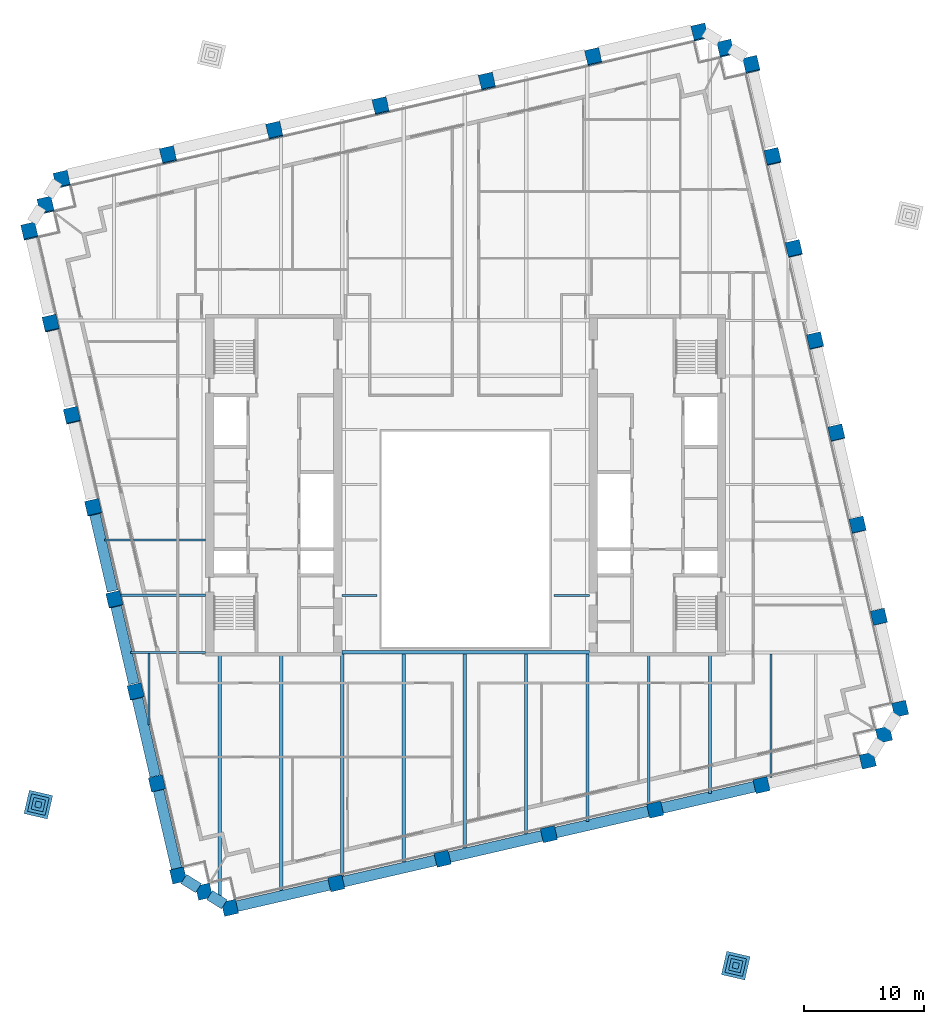
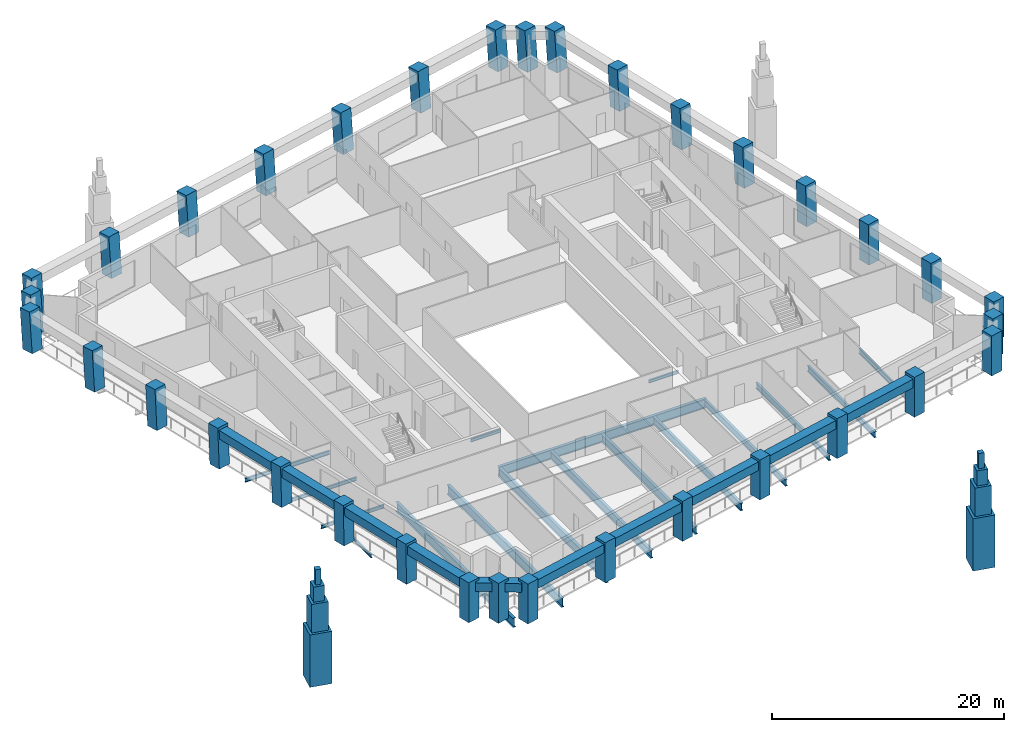
# One storey, part 1 of 10: 34 columns, 28 beams, 8 members.
"""IFC4 building model written with IfcOpenShell, lengths in metres."""

from ifc_helpers import new_model, si_unit, direction, frame, origin, origin_2d, place, context, subcontext, project, spatial, rectangle, i_section, extrude, material, material_profile, profile_set, type_object, element, save


model = new_model("IFC4")

# Units and contexts
model_context = context("Model", 3, precision=1e-05, world=origin(), true_north=direction((0.0, 1.0)))
body_context = subcontext(model_context, "Body", "Model", "MODEL_VIEW")
ifc_project = project(units=[si_unit("LENGTHUNIT", "METRE"), si_unit("AREAUNIT", "SQUARE_METRE"), si_unit("VOLUMEUNIT", "CUBIC_METRE"), si_unit("PLANEANGLEUNIT", "RADIAN"), si_unit("MASSUNIT", "GRAM", prefix="KILO")], contexts=[model_context])

# Site, building, storey
site_placement = place(None, origin())
site = spatial("IfcSite", under=ifc_project, at=site_placement, CompositionType="ELEMENT")
building_placement = place(site_placement, origin())
building = spatial("IfcBuilding", under=site, at=building_placement, Name="Ogive Exchange Tower", CompositionType="ELEMENT")
storey_placement = place(building_placement, frame((0.0, 0.0, 171.60009765625)))
storey = spatial("IfcBuildingStorey", under=building, at=storey_placement, Name="L37", CompositionType="ELEMENT", Elevation=171.60009765625)

# Columns
ifc_material_1 = material(Name="Precast concrete C70/85 (limestone faced)", Category="masonry")
ifc_material_profile_1 = material_profile(ifc_material_1, rectangle(XDim=1.199951171875, YDim=1.199951171875, at=origin_2d()), Name="1200 x 1200")
ifc_profile_set_1 = profile_set([ifc_material_profile_1], Name="Precast concrete C70/85 (limestone faced)")
column_type = type_object("IfcColumnType", Name="Precast exoskeleton leg 1200 x 1200 C70/85", PredefinedType="COLUMN", material=ifc_profile_set_1)
for number, where, z_axis, x_axis, name in (
    (1, (-19.6494140625, -23.749267578125, 0.0), (0.0, 0.0, 1.0), (0.974370064785, 0.224951054344, 0.0), "Exoskeleton leg 1"),
    (2, (-10.782470703125, -21.7021484375, 0.0), (0.0, 0.0, 1.0), (0.974370064785, 0.224951054344, 0.0), "Exoskeleton leg 2"),
    (3, (-1.915771484375, -19.655029296875, 0.0), (0.0, 0.0, 1.0), (0.974370064785, 0.224951054344, 0.0), "Exoskeleton leg 3"),
    (4, (6.950927734375, -17.60791015625, 0.0), (0.0, 0.0, 1.0), (0.974370064785, 0.224951054344, 0.0), "Exoskeleton leg 4"),
    (5, (15.81787109375, -15.56103515625, 0.0), (0.0, 0.0, 1.0), (0.974370064785, 0.224951054344, 0.0), "Exoskeleton leg 5"),
    (6, (24.6845703125, -13.513916015625, 0.0), (0.0, 0.0, 1.0), (0.974370064785, 0.224951054344, 0.0), "Exoskeleton leg 6"),
    (7, (33.55126953125, -11.466796875, 0.0), (0.0, 0.0, 1.0), (0.974370064785, 0.224951054344, 0.0), "Exoskeleton leg 7"),
    (8, (36.249267578125, -7.1494140625, 0.0), (0.0, 0.0, 1.0), (0.974370064785, 0.224951054344, 0.0), "Exoskeleton leg 8"),
):
    element("IfcColumn", number, at=place(storey_placement, frame(where, z_axis=z_axis, x_axis=x_axis)), inside=storey, type_object=column_type, Name=name, PredefinedType="COLUMN", context=body_context, shape_type="SweptSolid", body=[
        extrude(rectangle(XDim=1.199951171875, YDim=1.199951171875, at=origin_2d()), origin(), (0.0, 0.0, 1.0), 4.199951171875),
    ])
column_1_placement = place(storey_placement, frame((34.478515625, 0.52099609375, 0.0), z_axis=(-0.002731884952, 0.01168316756, 0.999928017609), x_axis=(-0.973733900744, -0.227689021567, 0.0)))
element("IfcColumn", 9, at=column_1_placement, inside=storey, type_object=column_type, Name="Exoskeleton leg 9", PredefinedType="COLUMN", context=body_context, shape_type="SweptSolid", body=[
    extrude(rectangle(XDim=1.199951171875, YDim=1.199951171875, at=origin_2d()), origin(), (0.0, 0.0, 1.0), 4.2001953125),
])
column_2_placement = place(storey_placement, frame((32.70751953125, 8.191162109375, 0.0), z_axis=(-0.005404472139, 0.023419379268, 0.999711120452), x_axis=(-0.974391195695, -0.224859506699, 0.0)))
element("IfcColumn", 10, at=column_2_placement, inside=storey, type_object=column_type, Name="Exoskeleton leg 10", PredefinedType="COLUMN", context=body_context, shape_type="SweptSolid", body=[
    extrude(rectangle(XDim=1.199951171875, YDim=1.199951171875, at=origin_2d()), origin(), (0.0, 0.0, 1.0), 4.201171875),
])
column_3_placement = place(storey_placement, frame((30.936767578125, 15.861572265625, 0.0), z_axis=(-0.008132851642, 0.035029353857, 0.999353191366), x_axis=(-0.974090845759, -0.226157078617, 0.0)))
element("IfcColumn", 11, at=column_3_placement, inside=storey, type_object=column_type, Name="Exoskeleton leg 11", PredefinedType="COLUMN", context=body_context, shape_type="SweptSolid", body=[
    extrude(rectangle(XDim=1.199951171875, YDim=1.199951171875, at=origin_2d()), origin(), (0.0, 0.0, 1.0), 4.20263671875),
])
column_4_placement = place(storey_placement, frame((29.166015625, 23.53173828125, 0.0), z_axis=(-0.010799619665, 0.046740289408, 0.998848694028), x_axis=(-0.974329962248, -0.225124686929, 0.0)))
element("IfcColumn", 12, at=column_4_placement, inside=storey, type_object=column_type, Name="Exoskeleton leg 12", PredefinedType="COLUMN", context=body_context, shape_type="SweptSolid", body=[
    extrude(rectangle(XDim=1.199951171875, YDim=1.199951171875, at=origin_2d()), origin(), (0.0, 0.0, 1.0), 4.204833984375),
])
column_5_placement = place(storey_placement, frame((27.39501953125, 31.201904296875, 0.0), z_axis=(-0.013461754246, 0.058430976405, 0.998200682312), x_axis=(-0.974472679268, -0.224506118759, 0.0)))
element("IfcColumn", 13, at=column_5_placement, inside=storey, type_object=column_type, Name="Exoskeleton leg 13", PredefinedType="COLUMN", context=body_context, shape_type="SweptSolid", body=[
    extrude(rectangle(XDim=1.199951171875, YDim=1.199951171875, at=origin_2d()), origin(), (0.0, 0.0, 1.0), 4.20751953125),
])
column_6_placement = place(storey_placement, frame((25.624267578125, 38.872314453125, 0.0), z_axis=(-0.016176212764, 0.069980963462, 0.99741716192), x_axis=(-0.974309502923, -0.225213215672, 0.0)))
element("IfcColumn", 14, at=column_6_placement, inside=storey, type_object=column_type, Name="Exoskeleton leg 14", PredefinedType="COLUMN", context=body_context, shape_type="SweptSolid", body=[
    extrude(rectangle(XDim=1.199951171875, YDim=1.199951171875, at=origin_2d()), origin(), (0.0, 0.0, 1.0), 4.2109375),
])
for number, where, z_axis, x_axis, name in (
    (15, (23.853515625, 46.54248046875, 0.0), (-0.018825666958, 0.081616506903, 0.99648599592), (-0.974414501624, -0.224758490439, 0.0), "Exoskeleton leg 15"),
    (16, (19.535888671875, 49.240478515625, 0.0), (-0.018825666958, 0.081616506903, 0.99648599592), (-0.974414501624, -0.224758490439, 0.0), "Exoskeleton leg 16"),
    (17, (10.669189453125, 47.193359375, 0.0), (-0.018883571463, 0.081616417765, 0.996484907603), (-0.974262845894, -0.225414966474, 0.0), "Exoskeleton leg 17"),
    (18, (1.802490234375, 45.146484375, 0.0), (-0.018883660707, 0.081558878144, 0.996489616983), (-0.974227676113, -0.225566919327, 0.0), "Exoskeleton leg 18"),
    (19, (-7.064453125, 43.099365234375, 0.0), (-0.018825755928, 0.08155896722, 0.996490705315), (-0.974379530941, -0.22491004798, 0.0), "Exoskeleton leg 19"),
    (20, (-15.93115234375, 41.05224609375, 0.0), (-0.018825666958, 0.081616506903, 0.99648599592), (-0.974414501624, -0.224758490439, 0.0), "Exoskeleton leg 20"),
    (21, (-24.7978515625, 39.005126953125, 0.0), (-0.018825666958, 0.081616506903, 0.99648599592), (-0.974414501624, -0.224758490439, 0.0), "Exoskeleton leg 21"),
    (22, (-33.664794921875, 36.958251953125, 0.0), (-0.018825755928, 0.08155896722, 0.996490705315), (-0.974379530941, -0.22491004798, 0.0), "Exoskeleton leg 22"),
    (23, (-36.362548828125, 32.640625, 0.0), (-0.018825666958, 0.081616506903, 0.99648599592), (-0.974414501624, -0.224758490439, 0.0), "Exoskeleton leg 23"),
):
    element("IfcColumn", number, at=place(storey_placement, frame(where, z_axis=z_axis, x_axis=x_axis)), inside=storey, type_object=column_type, Name=name, PredefinedType="COLUMN", context=body_context, shape_type="SweptSolid", body=[
        extrude(rectangle(XDim=1.199951171875, YDim=1.199951171875, at=origin_2d()), origin(), (0.0, 0.0, 1.0), 4.21484375),
    ])
column_7_placement = place(storey_placement, frame((-34.591796875, 24.97021484375, 0.0), z_axis=(-0.016176147103, 0.070038658424, 0.997413113304), x_axis=(-0.97435039746, -0.225036225904, 0.0)))
element("IfcColumn", 24, at=column_7_placement, inside=storey, type_object=column_type, Name="Exoskeleton leg 24", PredefinedType="COLUMN", context=body_context, shape_type="SweptSolid", body=[
    extrude(rectangle(XDim=1.199951171875, YDim=1.199951171875, at=origin_2d()), origin(), (0.0, 0.0, 1.0), 4.2109375),
])
column_8_placement = place(storey_placement, frame((-32.821044921875, 17.300048828125, 0.0), z_axis=(-0.013461799865, 0.058373149415, 0.998204064995), x_axis=(-0.974423835271, -0.224718021653, 0.0)))
element("IfcColumn", 25, at=column_8_placement, inside=storey, type_object=column_type, Name="Exoskeleton leg 25", PredefinedType="COLUMN", context=body_context, shape_type="SweptSolid", body=[
    extrude(rectangle(XDim=1.199951171875, YDim=1.199951171875, at=origin_2d()), origin(), (0.0, 0.0, 1.0), 4.20751953125),
])
column_9_placement = place(storey_placement, frame((-31.05029296875, 9.6298828125, 0.0), z_axis=(-0.010741563911, 0.046740318638, 0.998849318675), x_axis=(-0.974594841169, -0.223975211946, 0.0)))
element("IfcColumn", 26, at=column_9_placement, inside=storey, type_object=column_type, Name="Exoskeleton leg 26", PredefinedType="COLUMN", context=body_context, shape_type="SweptSolid", body=[
    extrude(rectangle(XDim=1.199951171875, YDim=1.199951171875, at=origin_2d()), origin(), (0.0, 0.0, 1.0), 4.204833984375),
])
column_10_placement = place(storey_placement, frame((-29.279296875, 1.95947265625, 0.0), z_axis=(-0.008132835078, 0.035087374195, 0.999351156084), x_axis=(-0.97417327444, -0.225801752354, 0.0)))
element("IfcColumn", 27, at=column_10_placement, inside=storey, type_object=column_type, Name="Exoskeleton leg 27", PredefinedType="COLUMN", context=body_context, shape_type="SweptSolid", body=[
    extrude(rectangle(XDim=1.199951171875, YDim=1.199951171875, at=origin_2d()), origin(), (0.0, 0.0, 1.0), 4.20263671875),
])
column_11_placement = place(storey_placement, frame((-27.508544921875, -5.710693359375, 0.0), z_axis=(-0.005404479485, 0.023361298418, 0.999712479335), x_axis=(-0.974268511785, -0.225390476607, 0.0)))
element("IfcColumn", 28, at=column_11_placement, inside=storey, type_object=column_type, Name="Exoskeleton leg 28", PredefinedType="COLUMN", context=body_context, shape_type="SweptSolid", body=[
    extrude(rectangle(XDim=1.199951171875, YDim=1.199951171875, at=origin_2d()), origin(), (0.0, 0.0, 1.0), 4.201171875),
])
column_12_placement = place(storey_placement, frame((-25.73779296875, -13.381103515625, 0.0), z_axis=(-0.00267375834, 0.011741286623, 0.999927493974), x_axis=(-0.975037935076, -0.222038341651, 0.0)))
element("IfcColumn", 29, at=column_12_placement, inside=storey, type_object=column_type, Name="Exoskeleton leg 29", PredefinedType="COLUMN", context=body_context, shape_type="SweptSolid", body=[
    extrude(rectangle(XDim=1.199951171875, YDim=1.199951171875, at=origin_2d()), origin(), (0.0, 0.0, 1.0), 4.2001953125),
])
for number, where, z_axis, x_axis, name in (
    (30, (-23.966796875, -21.05126953125, 0.0), (0.0, 0.0, 1.0), (0.974370064785, 0.224951054344, 0.0), "Exoskeleton leg 30"),
    (31, (34.900146484375, -9.30810546875, 0.0), (0.0, 0.0, 1.0), (0.974370064785, 0.224951054344, 0.0), "Exoskeleton leg 31"),
):
    element("IfcColumn", number, at=place(storey_placement, frame(where, z_axis=z_axis, x_axis=x_axis)), inside=storey, type_object=column_type, Name=name, PredefinedType="COLUMN", context=body_context, shape_type="SweptSolid", body=[
        extrude(rectangle(XDim=1.199951171875, YDim=1.199951171875, at=origin_2d()), origin(), (0.0, 0.0, 1.0), 4.199951171875),
    ])
for number, where, z_axis, x_axis, name in (
    (32, (21.694580078125, 47.8916015625, 0.0), (-0.018825755928, 0.08155896722, 0.996490705315), (-0.974379530941, -0.22491004798, 0.0), "Exoskeleton leg 32"),
    (33, (-35.013671875, 34.79931640625, 0.0), (-0.018825666958, 0.081616506903, 0.99648599592), (-0.974414501624, -0.224758490439, 0.0), "Exoskeleton leg 33"),
):
    element("IfcColumn", number, at=place(storey_placement, frame(where, z_axis=z_axis, x_axis=x_axis)), inside=storey, type_object=column_type, Name=name, PredefinedType="COLUMN", context=body_context, shape_type="SweptSolid", body=[
        extrude(rectangle(XDim=1.199951171875, YDim=1.199951171875, at=origin_2d()), origin(), (0.0, 0.0, 1.0), 4.21484375),
    ])
column_13_placement = place(storey_placement, frame((-21.80810546875, -22.400146484375, 0.0), z_axis=(0.0, 0.0, 1.0), x_axis=(0.974370064785, 0.224951054344, 0.0)))
element("IfcColumn", 34, at=column_13_placement, inside=storey, type_object=column_type, Name="Exoskeleton leg 34", PredefinedType="COLUMN", context=body_context, shape_type="SweptSolid", body=[
    extrude(rectangle(XDim=1.199951171875, YDim=1.199951171875, at=origin_2d()), origin(), (0.0, 0.0, 1.0), 4.199951171875),
])

# Beams
ifc_material_2 = material(Name="Steel ASTM A992 Gr50", Category="steel")
ifc_material_profile_2 = material_profile(ifc_material_2, i_section(OverallWidth=0.300048828125, OverallDepth=0.969970703125, WebThickness=0.01611328125, FlangeThickness=0.02099609375, at=origin_2d()), Name="W1000x222")
ifc_profile_set_2 = profile_set([ifc_material_profile_2], Name="Steel ASTM A992 Gr50")
beam_type_1 = type_object("IfcBeamType", Name="Floor beam W1000x222", PredefinedType="JOIST", material=ifc_profile_set_2)
beam_1_placement = place(storey_placement, frame((-20.494384765625, -22.84033203125, -0.68505859375), z_axis=(0.0, 1.0, 0.0), x_axis=(-1.0, 0.0, 0.0)))
element("IfcBeam", 35, at=beam_1_placement, inside=storey, type_object=beam_type_1, Name="Floor beam", PredefinedType="JOIST", context=body_context, shape_type="SweptSolid", body=[
    extrude(i_section(OverallWidth=0.300048828125, OverallDepth=0.969970703125, WebThickness=0.01611328125, FlangeThickness=0.02099609375, at=origin_2d()), origin(), (0.0, 0.0, 1.0), 20.240234375),
])
beam_2_placement = place(storey_placement, frame((-15.385009765625, -22.302978515625, -0.68505859375), z_axis=(0.0, 1.0, 0.0), x_axis=(-1.0, 0.0, 0.0)))
element("IfcBeam", 36, at=beam_2_placement, inside=storey, type_object=beam_type_1, Name="Floor beam", PredefinedType="JOIST", context=body_context, shape_type="SweptSolid", body=[
    extrude(i_section(OverallWidth=0.300048828125, OverallDepth=0.969970703125, WebThickness=0.01611328125, FlangeThickness=0.02099609375, at=origin_2d()), origin(), (0.0, 0.0, 1.0), 19.702880859375),
])
ifc_material_profile_3 = material_profile(ifc_material_2, i_section(OverallWidth=0.1650390625, OverallDepth=0.31005859375, WebThickness=0.005859375, FlangeThickness=0.009765625, at=origin_2d()), Name="W310x38.7")
ifc_profile_set_3 = profile_set([ifc_material_profile_3], Name="Steel ASTM A992 Gr50")
beam_type_2 = type_object("IfcBeamType", Name="Floor beam W310x38.7", PredefinedType="JOIST", material=ifc_profile_set_3)
for number, where, z_axis, x_axis, name in (
    (37, (-10.320068359375, 2.3212890625, -0.35498046875), (1.0, 0.0, 0.0), (0.0, 1.0, 0.0), "Floor beam"),
    (38, (7.3701171875, 2.3212890625, -0.35498046875), (1.0, 0.0, 0.0), (0.0, 1.0, 0.0), "Floor beam"),
):
    element("IfcBeam", number, at=place(storey_placement, frame(where, z_axis=z_axis, x_axis=x_axis)), inside=storey, type_object=beam_type_2, Name=name, PredefinedType="JOIST", context=body_context, shape_type="SweptSolid", body=[
        extrude(i_section(OverallWidth=0.1650390625, OverallDepth=0.31005859375, WebThickness=0.005859375, FlangeThickness=0.009765625, at=origin_2d()), origin(), (0.0, 0.0, 1.0), 2.949951171875),
    ])
beam_3_placement = place(storey_placement, frame((-26.404052734375, -8.494384765625, -0.35498046875), z_axis=(0.0, 1.0, 0.0), x_axis=(-1.0, 0.0, 0.0)))
element("IfcBeam", 39, at=beam_3_placement, inside=storey, type_object=beam_type_2, Name="Floor beam", PredefinedType="JOIST", context=body_context, shape_type="SweptSolid", body=[
    extrude(i_section(OverallWidth=0.1650390625, OverallDepth=0.31005859375, WebThickness=0.005859375, FlangeThickness=0.009765625, at=origin_2d()), origin(), (0.0, 0.0, 1.0), 5.9638671875),
])
ifc_material_profile_4 = material_profile(ifc_material_2, i_section(OverallWidth=0.1708984375, OverallDepth=0.35595703125, WebThickness=0.00732421875, FlangeThickness=0.01171875, at=origin_2d()), Name="W360x51")
ifc_profile_set_4 = profile_set([ifc_material_profile_4], Name="Steel ASTM A992 Gr50")
beam_type_3 = type_object("IfcBeamType", Name="Floor beam W360x51", PredefinedType="JOIST", material=ifc_profile_set_4)
beam_4_placement = place(storey_placement, frame((-28.90087890625, 2.3212890625, -0.378173828125), z_axis=(1.0, 0.0, 0.0), x_axis=(0.0, 1.0, 0.0)))
element("IfcBeam", 40, at=beam_4_placement, inside=storey, type_object=beam_type_3, Name="Floor beam", PredefinedType="JOIST", context=body_context, shape_type="SweptSolid", body=[
    extrude(i_section(OverallWidth=0.1708984375, OverallDepth=0.35595703125, WebThickness=0.00732421875, FlangeThickness=0.01171875, at=origin_2d()), origin(), (0.0, 0.0, 1.0), 7.220947265625),
])
ifc_material_profile_5 = material_profile(ifc_material_2, i_section(OverallWidth=0.177978515625, OverallDepth=0.406005859375, WebThickness=0.0078125, FlangeThickness=0.0126953125, at=origin_2d()), Name="W410x60")
ifc_profile_set_5 = profile_set([ifc_material_profile_5], Name="Steel ASTM A992 Gr50")
beam_type_4 = type_object("IfcBeamType", Name="Floor beam W410x60", PredefinedType="JOIST", material=ifc_profile_set_5)
beam_5_placement = place(storey_placement, frame((-30.115478515625, 6.9326171875, -0.403076171875), z_axis=(1.0, 0.0, 0.0), x_axis=(0.0, 1.0, 0.0)))
element("IfcBeam", 41, at=beam_5_placement, inside=storey, type_object=beam_type_4, Name="Floor beam", PredefinedType="JOIST", context=body_context, shape_type="SweptSolid", body=[
    extrude(i_section(OverallWidth=0.177978515625, OverallDepth=0.406005859375, WebThickness=0.0078125, FlangeThickness=0.0126953125, at=origin_2d()), origin(), (0.0, 0.0, 1.0), 8.435546875),
])
ifc_material_profile_6 = material_profile(ifc_material_2, i_section(OverallWidth=0.1669921875, OverallDepth=0.535888671875, WebThickness=0.01025390625, FlangeThickness=0.0166015625, at=origin_2d()), Name="W530x85")
ifc_profile_set_6 = profile_set([ifc_material_profile_6], Name="Steel ASTM A992 Gr50")
beam_type_5 = type_object("IfcBeamType", Name="Floor beam W530x85", PredefinedType="JOIST", material=ifc_profile_set_6)
beam_6_placement = place(storey_placement, frame((25.490478515625, -12.865966796875, -0.468017578125), z_axis=(0.0, 1.0, 0.0), x_axis=(-1.0, 0.0, 0.0)))
element("IfcBeam", 42, at=beam_6_placement, inside=storey, type_object=beam_type_5, Name="Floor beam", PredefinedType="JOIST", context=body_context, shape_type="SweptSolid", body=[
    extrude(i_section(OverallWidth=0.1669921875, OverallDepth=0.535888671875, WebThickness=0.01025390625, FlangeThickness=0.0166015625, at=origin_2d()), origin(), (0.0, 0.0, 1.0), 10.287353515625),
])
ifc_material_profile_7 = material_profile(ifc_material_2, i_section(OverallWidth=0.22802734375, OverallDepth=0.60205078125, WebThickness=0.010498046875, FlangeThickness=0.014892578125, at=origin_2d()), Name="W610x101")
ifc_profile_set_7 = profile_set([ifc_material_profile_7], Name="Steel ASTM A992 Gr50")
beam_type_6 = type_object("IfcBeamType", Name="Floor beam W610x101", PredefinedType="JOIST", material=ifc_profile_set_7)
beam_7_placement = place(storey_placement, frame((15.271728515625, -15.22509765625, -0.5009765625), z_axis=(0.0, 1.0, 0.0), x_axis=(-1.0, 0.0, 0.0)))
element("IfcBeam", 43, at=beam_7_placement, inside=storey, type_object=beam_type_6, Name="Floor beam", PredefinedType="JOIST", context=body_context, shape_type="SweptSolid", body=[
    extrude(i_section(OverallWidth=0.22802734375, OverallDepth=0.60205078125, WebThickness=0.010498046875, FlangeThickness=0.014892578125, at=origin_2d()), origin(), (0.0, 0.0, 1.0), 12.625),
])
beam_8_placement = place(storey_placement, frame((20.381103515625, -14.195556640625, -0.5009765625), z_axis=(0.0, 1.0, 0.0), x_axis=(-1.0, 0.0, 0.0)))
element("IfcBeam", 44, at=beam_8_placement, inside=storey, type_object=beam_type_6, Name="Floor beam", PredefinedType="JOIST", context=body_context, shape_type="SweptSolid", body=[
    extrude(i_section(OverallWidth=0.22802734375, OverallDepth=0.60205078125, WebThickness=0.010498046875, FlangeThickness=0.014892578125, at=origin_2d()), origin(), (0.0, 0.0, 1.0), 11.595458984375),
])
ifc_material_profile_8 = material_profile(ifc_material_2, i_section(OverallWidth=0.25390625, OverallDepth=0.677978515625, WebThickness=0.01171875, FlangeThickness=0.016357421875, at=origin_2d()), Name="W690x125")
ifc_profile_set_8 = profile_set([ifc_material_profile_8], Name="Steel ASTM A992 Gr50")
beam_type_7 = type_object("IfcBeamType", Name="Floor beam W690x125", PredefinedType="JOIST", material=ifc_profile_set_8)
beam_9_placement = place(storey_placement, frame((10.162109375, -16.5546875, -0.5390625), z_axis=(0.0, 1.0, 0.0), x_axis=(-1.0, 0.0, 0.0)))
element("IfcBeam", 45, at=beam_9_placement, inside=storey, type_object=beam_type_7, Name="Floor beam", PredefinedType="JOIST", context=body_context, shape_type="SweptSolid", body=[
    extrude(i_section(OverallWidth=0.25390625, OverallDepth=0.677978515625, WebThickness=0.01171875, FlangeThickness=0.016357421875, at=origin_2d()), origin(), (0.0, 0.0, 1.0), 13.959716796875),
])
ifc_material_profile_9 = material_profile(ifc_material_2, i_section(OverallWidth=0.26708984375, OverallDepth=0.75390625, WebThickness=0.01318359375, FlangeThickness=0.01708984375, at=origin_2d()), Name="W760x147")
ifc_profile_set_9 = profile_set([ifc_material_profile_9], Name="Steel ASTM A992 Gr50")
beam_type_8 = type_object("IfcBeamType", Name="Floor beam W760x147", PredefinedType="JOIST", material=ifc_profile_set_9)
beam_10_placement = place(storey_placement, frame((5.052734375, -17.734619140625, -0.5771484375), z_axis=(0.0, 1.0, 0.0), x_axis=(-1.0, 0.0, 0.0)))
element("IfcBeam", 46, at=beam_10_placement, inside=storey, type_object=beam_type_8, Name="Floor beam", PredefinedType="JOIST", context=body_context, shape_type="SweptSolid", body=[
    extrude(i_section(OverallWidth=0.26708984375, OverallDepth=0.75390625, WebThickness=0.01318359375, FlangeThickness=0.01708984375, at=origin_2d()), origin(), (0.0, 0.0, 1.0), 15.1396484375),
])
ifc_material_profile_10 = material_profile(ifc_material_2, i_section(OverallWidth=0.2919921875, OverallDepth=0.8359375, WebThickness=0.013916015625, FlangeThickness=0.018798828125, at=origin_2d()), Name="W840x176")
ifc_profile_set_10 = profile_set([ifc_material_profile_10], Name="Steel ASTM A992 Gr50")
beam_type_9 = type_object("IfcBeamType", Name="Floor beam W840x176", PredefinedType="JOIST", material=ifc_profile_set_10)
beam_11_placement = place(storey_placement, frame((-5.166259765625, -19.943603515625, -0.6181640625), z_axis=(0.0, 1.0, 0.0), x_axis=(-1.0, 0.0, 0.0)))
element("IfcBeam", 47, at=beam_11_placement, inside=storey, type_object=beam_type_9, Name="Floor beam", PredefinedType="JOIST", context=body_context, shape_type="SweptSolid", body=[
    extrude(i_section(OverallWidth=0.2919921875, OverallDepth=0.8359375, WebThickness=0.013916015625, FlangeThickness=0.018798828125, at=origin_2d()), origin(), (0.0, 0.0, 1.0), 17.3486328125),
])
beam_12_placement = place(storey_placement, frame((-0.056640625, -18.76416015625, -0.6181640625), z_axis=(0.0, 1.0, 0.0), x_axis=(-1.0, 0.0, 0.0)))
element("IfcBeam", 48, at=beam_12_placement, inside=storey, type_object=beam_type_9, Name="Floor beam", PredefinedType="JOIST", context=body_context, shape_type="SweptSolid", body=[
    extrude(i_section(OverallWidth=0.2919921875, OverallDepth=0.8359375, WebThickness=0.013916015625, FlangeThickness=0.018798828125, at=origin_2d()), origin(), (0.0, 0.0, 1.0), 16.169189453125),
])
ifc_material_profile_11 = material_profile(ifc_material_2, i_section(OverallWidth=0.304931640625, OverallDepth=0.904052734375, WebThickness=0.01513671875, FlangeThickness=0.02001953125, at=origin_2d()), Name="W920x201")
ifc_profile_set_11 = profile_set([ifc_material_profile_11], Name="Steel ASTM A992 Gr50")
beam_type_10 = type_object("IfcBeamType", Name="Floor beam W920x201", PredefinedType="JOIST", material=ifc_profile_set_11)
beam_13_placement = place(storey_placement, frame((-10.275634765625, -21.123291015625, -0.652099609375), z_axis=(0.0, 1.0, 0.0), x_axis=(-1.0, 0.0, 0.0)))
element("IfcBeam", 49, at=beam_13_placement, inside=storey, type_object=beam_type_10, Name="Floor beam", PredefinedType="JOIST", context=body_context, shape_type="SweptSolid", body=[
    extrude(i_section(OverallWidth=0.304931640625, OverallDepth=0.904052734375, WebThickness=0.01513671875, FlangeThickness=0.02001953125, at=origin_2d()), origin(), (0.0, 0.0, 1.0), 18.5283203125),
])
ifc_material_profile_12 = material_profile(ifc_material_2, i_section(OverallWidth=0.300048828125, OverallDepth=0.97998046875, WebThickness=0.0166015625, FlangeThickness=0.026123046875, at=origin_2d()), Name="W1000x249")
ifc_profile_set_12 = profile_set([ifc_material_profile_12], Name="Steel ASTM A992 Gr50")
beam_type_11 = type_object("IfcBeamType", Name="Girder W1000x249", PredefinedType="BEAM", material=ifc_profile_set_12)
beam_14_placement = place(storey_placement, frame((-10.320068359375, -2.445068359375, -0.690185546875), z_axis=(1.0, 0.0, 0.0), x_axis=(0.0, 1.0, 0.0)))
element("IfcBeam", 50, at=beam_14_placement, inside=storey, type_object=beam_type_11, Name="Header girder", PredefinedType="BEAM", context=body_context, shape_type="SweptSolid", body=[
    extrude(i_section(OverallWidth=0.300048828125, OverallDepth=0.97998046875, WebThickness=0.0166015625, FlangeThickness=0.026123046875, at=origin_2d()), origin(), (0.0, 0.0, 1.0), 20.64013671875),
])
ifc_material_profile_13 = material_profile(ifc_material_2, i_section(OverallWidth=0.1708984375, OverallDepth=0.35595703125, WebThickness=0.00732421875, FlangeThickness=0.01171875, at=origin_2d()), Name="W360x51")
ifc_profile_set_13 = profile_set([ifc_material_profile_13], Name="Steel ASTM A992 Gr50")
beam_type_12 = type_object("IfcBeamType", Name="Girder W360x51", PredefinedType="BEAM", material=ifc_profile_set_13)
beam_15_placement = place(storey_placement, frame((-27.95068359375, -2.445068359375, -0.378173828125), z_axis=(1.0, 0.0, 0.0), x_axis=(0.0, 1.0, 0.0)))
element("IfcBeam", 51, at=beam_15_placement, inside=storey, type_object=beam_type_12, Name="Header girder", PredefinedType="BEAM", context=body_context, shape_type="SweptSolid", body=[
    extrude(i_section(OverallWidth=0.1708984375, OverallDepth=0.35595703125, WebThickness=0.00732421875, FlangeThickness=0.01171875, at=origin_2d()), origin(), (0.0, 0.0, 1.0), 6.270751953125),
])

# Members
ifc_material_3 = material(Name="Precast concrete C50/60", Category="concrete")
ifc_material_profile_14 = material_profile(ifc_material_3, rectangle(XDim=2.0, YDim=2.0, at=origin_2d()), Name="PINNACLE 1 2000 x 2000")
ifc_profile_set_14 = profile_set([ifc_material_profile_14], Name="Precast concrete C50/60")
member_type_1 = type_object("IfcMemberType", Name="Precast pinnacle stage 1 2000 x 2000 C50/60", PredefinedType="USERDEFINED", material=ifc_profile_set_14)
for number, where, z_axis, x_axis, name in (
    (52, (22.5390625, -28.569091796875, -6.0), (0.0, 0.0, 1.0), (0.974370064785, -0.224951054344, 0.0), "Head pinnacle 2-1"),
    (53, (-35.631103515625, -15.138916015625, -6.0), (0.0, 0.0, 1.0), (0.974370064785, -0.224951054344, 0.0), "Head pinnacle 2-4"),
):
    element("IfcMember", number, at=place(storey_placement, frame(where, z_axis=z_axis, x_axis=x_axis)), inside=storey, type_object=member_type_1, Name=name, ObjectType="PINNACLE", PredefinedType="USERDEFINED", context=body_context, shape_type="SweptSolid", body=[
        extrude(rectangle(XDim=2.0, YDim=2.0, at=origin_2d()), origin(), (0.0, 0.0, 1.0), 5.5),
    ])
ifc_material_profile_15 = material_profile(ifc_material_3, rectangle(XDim=1.5, YDim=1.5, at=origin_2d()), Name="PINNACLE 2 1500 x 1500")
ifc_profile_set_15 = profile_set([ifc_material_profile_15], Name="Precast concrete C50/60")
member_type_2 = type_object("IfcMemberType", Name="Precast pinnacle stage 2 1500 x 1500 C50/60", PredefinedType="USERDEFINED", material=ifc_profile_set_15)
for number, where, z_axis, x_axis, name in (
    (54, (22.5390625, -28.569091796875, -0.5), (0.0, 0.0, 1.0), (0.974370064785, -0.224951054344, 0.0), "Head pinnacle 2-1 stage 2"),
    (55, (-35.631103515625, -15.138916015625, -0.5), (0.0, 0.0, 1.0), (0.974370064785, -0.224951054344, 0.0), "Head pinnacle 2-4 stage 2"),
):
    element("IfcMember", number, at=place(storey_placement, frame(where, z_axis=z_axis, x_axis=x_axis)), inside=storey, type_object=member_type_2, Name=name, ObjectType="PINNACLE", PredefinedType="USERDEFINED", context=body_context, shape_type="SweptSolid", body=[
        extrude(rectangle(XDim=1.5, YDim=1.5, at=origin_2d()), origin(), (0.0, 0.0, 1.0), 3.0),
    ])
ifc_material_profile_16 = material_profile(ifc_material_3, rectangle(XDim=1.0, YDim=1.0, at=origin_2d()), Name="PINNACLE 3 1000 x 1000")
ifc_profile_set_16 = profile_set([ifc_material_profile_16], Name="Precast concrete C50/60")
member_type_3 = type_object("IfcMemberType", Name="Precast pinnacle stage 3 1000 x 1000 C50/60", PredefinedType="USERDEFINED", material=ifc_profile_set_16)
for number, where, z_axis, x_axis, name in (
    (56, (22.5390625, -28.569091796875, 2.5), (0.0, 0.0, 1.0), (0.974370064785, -0.224951054344, 0.0), "Head pinnacle 2-1 stage 3"),
    (57, (-35.631103515625, -15.138916015625, 2.5), (0.0, 0.0, 1.0), (0.974370064785, -0.224951054344, 0.0), "Head pinnacle 2-4 stage 3"),
):
    element("IfcMember", number, at=place(storey_placement, frame(where, z_axis=z_axis, x_axis=x_axis)), inside=storey, type_object=member_type_3, Name=name, ObjectType="PINNACLE", PredefinedType="USERDEFINED", context=body_context, shape_type="SweptSolid", body=[
        extrude(rectangle(XDim=1.0, YDim=1.0, at=origin_2d()), origin(), (0.0, 0.0, 1.0), 1.599853515625),
    ])
ifc_material_profile_17 = material_profile(ifc_material_3, rectangle(XDim=0.5, YDim=0.5, at=origin_2d()), Name="PINNACLE 4 500 x 500")
ifc_profile_set_17 = profile_set([ifc_material_profile_17], Name="Precast concrete C50/60")
member_type_4 = type_object("IfcMemberType", Name="Precast pinnacle stage 4 500 x 500 C50/60", PredefinedType="USERDEFINED", material=ifc_profile_set_17)
for number, where, z_axis, x_axis, name in (
    (58, (22.5390625, -28.569091796875, 4.099853515625), (0.0, 0.0, 1.0), (0.974370064785, -0.224951054344, 0.0), "Head pinnacle 2-1 stage 4"),
    (59, (-35.631103515625, -15.138916015625, 4.099853515625), (0.0, 0.0, 1.0), (0.974370064785, -0.224951054344, 0.0), "Head pinnacle 2-4 stage 4"),
):
    element("IfcMember", number, at=place(storey_placement, frame(where, z_axis=z_axis, x_axis=x_axis)), inside=storey, type_object=member_type_4, Name=name, ObjectType="PINNACLE", PredefinedType="USERDEFINED", context=body_context, shape_type="SweptSolid", body=[
        extrude(rectangle(XDim=0.5, YDim=0.5, at=origin_2d()), origin(), (0.0, 0.0, 1.0), 1.60009765625),
    ])

# Beams
ifc_material_profile_18 = material_profile(ifc_material_1, rectangle(XDim=0.89990234375, YDim=0.89990234375, at=origin_2d()), Name="900 x 900")
ifc_profile_set_18 = profile_set([ifc_material_profile_18], Name="Precast concrete C70/85 (limestone faced)")
beam_type_13 = type_object("IfcBeamType", Name="Precast spandrel 900 x 900 C70/85", PredefinedType="SPANDREL", material=ifc_profile_set_18)
beam_16_placement = place(storey_placement, frame((-19.084228515625, -23.61865234375, 3.5), z_axis=(0.974369944206, 0.224951576629, 0.0), x_axis=(-0.224951576629, 0.974369944206, 0.0)))
element("IfcBeam", 60, at=beam_16_placement, inside=storey, type_object=beam_type_13, Name="Spandrel 1", PredefinedType="SPANDREL", context=body_context, shape_type="SweptSolid", body=[
    extrude(rectangle(XDim=0.89990234375, YDim=0.89990234375, at=origin_2d()), origin(), (0.0, 0.0, 1.0), 7.940185546875),
])
beam_17_placement = place(storey_placement, frame((-10.21728515625, -21.57177734375, 3.5), z_axis=(0.974368388194, 0.224958316335, 0.0), x_axis=(-0.224958316335, 0.974368388194, 0.0)))
element("IfcBeam", 61, at=beam_17_placement, inside=storey, type_object=beam_type_13, Name="Spandrel 2", PredefinedType="SPANDREL", context=body_context, shape_type="SweptSolid", body=[
    extrude(rectangle(XDim=0.89990234375, YDim=0.89990234375, at=origin_2d()), origin(), (0.0, 0.0, 1.0), 7.93994140625),
])
for number, where, z_axis, x_axis, name in (
    (62, (-1.3505859375, -19.524658203125, 3.5), (0.974369944206, 0.224951576629, 0.0), (-0.224951576629, 0.974369944206, 0.0), "Spandrel 3"),
    (63, (7.51611328125, -17.4775390625, 3.5), (0.974369944206, 0.224951576629, 0.0), (-0.224951576629, 0.974369944206, 0.0), "Spandrel 4"),
    (64, (16.3828125, -15.430419921875, 3.5), (0.974369944206, 0.224951576629, 0.0), (-0.224951576629, 0.974369944206, 0.0), "Spandrel 5"),
):
    element("IfcBeam", number, at=place(storey_placement, frame(where, z_axis=z_axis, x_axis=x_axis)), inside=storey, type_object=beam_type_13, Name=name, PredefinedType="SPANDREL", context=body_context, shape_type="SweptSolid", body=[
        extrude(rectangle(XDim=0.89990234375, YDim=0.89990234375, at=origin_2d()), origin(), (0.0, 0.0, 1.0), 7.940185546875),
    ])
for number, where, z_axis, x_axis, name in (
    (65, (-30.965087890625, 9.26123046875, 3.5), (0.224954426706, -0.974369286208, 0.0), (0.974369286208, 0.224954426706, 0.0), "Spandrel 29"),
    (66, (-29.182861328125, 1.541748046875, 3.5), (0.224954426706, -0.974369286208, 0.0), (0.974369286208, 0.224954426706, 0.0), "Spandrel 30"),
):
    element("IfcBeam", number, at=place(storey_placement, frame(where, z_axis=z_axis, x_axis=x_axis)), inside=storey, type_object=beam_type_13, Name=name, PredefinedType="SPANDREL", context=body_context, shape_type="SweptSolid", body=[
        extrude(rectangle(XDim=0.89990234375, YDim=0.89990234375, at=origin_2d()), origin(), (0.0, 0.0, 1.0), 6.762451171875),
    ])
beam_18_placement = place(storey_placement, frame((-27.400634765625, -6.177490234375, 3.5), z_axis=(0.224946513726, -0.974371113058, 0.0), x_axis=(0.974371113058, 0.224946513726, 0.0)))
element("IfcBeam", 67, at=beam_18_placement, inside=storey, type_object=beam_type_13, Name="Spandrel 31", PredefinedType="SPANDREL", context=body_context, shape_type="SweptSolid", body=[
    extrude(rectangle(XDim=0.89990234375, YDim=0.89990234375, at=origin_2d()), origin(), (0.0, 0.0, 1.0), 6.7626953125),
])
beam_19_placement = place(storey_placement, frame((-25.61865234375, -13.89697265625, 3.5), z_axis=(0.224954426706, -0.974369286208, 0.0), x_axis=(0.974369286208, 0.224954426706, 0.0)))
element("IfcBeam", 68, at=beam_19_placement, inside=storey, type_object=beam_type_13, Name="Spandrel 32", PredefinedType="SPANDREL", context=body_context, shape_type="SweptSolid", body=[
    extrude(rectangle(XDim=0.89990234375, YDim=0.89990234375, at=origin_2d()), origin(), (0.0, 0.0, 1.0), 6.762451171875),
])
for number, where, z_axis, x_axis, name in (
    (69, (-23.501708984375, -21.342041015625, 3.5), (0.848074041941, -0.529877740036, 0.0), (0.529877740036, 0.848074041941, 0.0), "Spandrel 33"),
    (70, (-21.343017578125, -22.69091796875, 3.5), (0.848074041941, -0.529877740036, 0.0), (0.529877740036, 0.848074041941, 0.0), "Spandrel 34"),
):
    element("IfcBeam", number, at=place(storey_placement, frame(where, z_axis=z_axis, x_axis=x_axis)), inside=storey, type_object=beam_type_13, Name=name, PredefinedType="SPANDREL", context=body_context, shape_type="SweptSolid", body=[
        extrude(rectangle(XDim=0.89990234375, YDim=0.89990234375, at=origin_2d()), origin(), (0.0, 0.0, 1.0), 1.448486328125),
    ])

save(model, "model.ifc")
